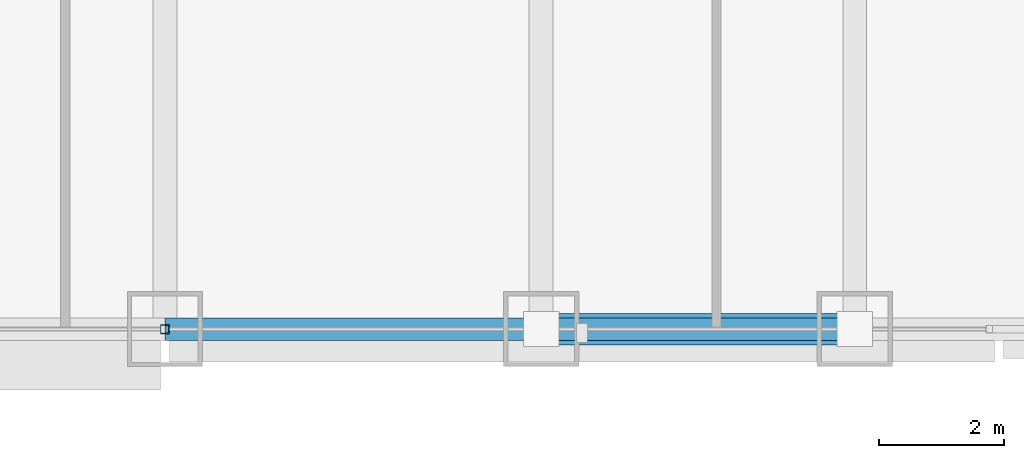
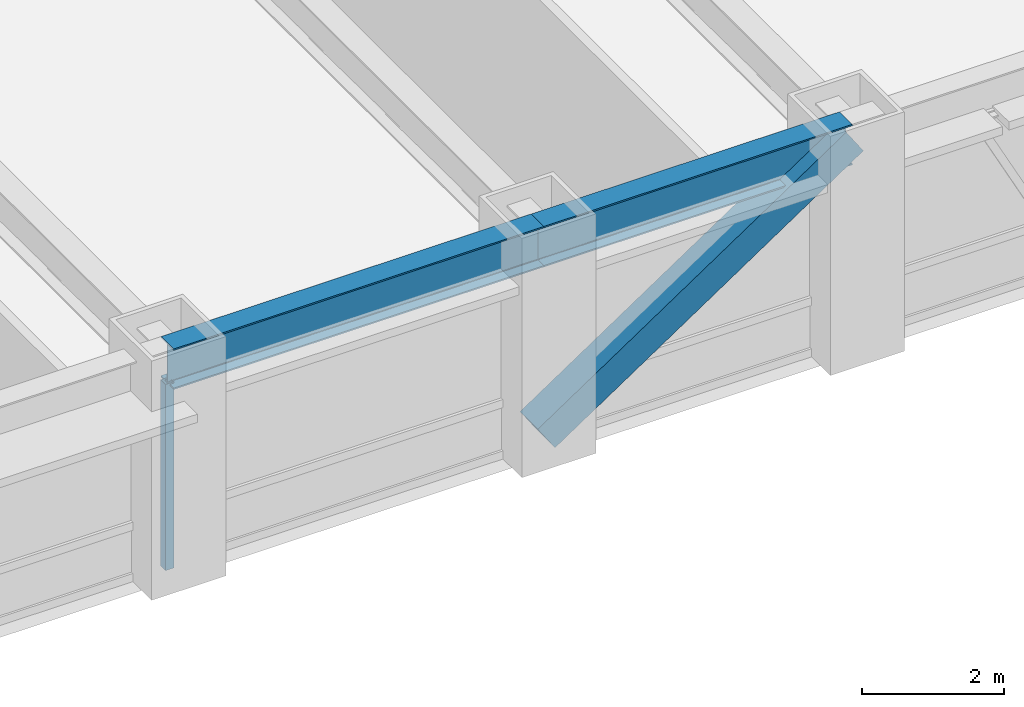
# One storey, part 4 of 32: 2 beams, 2 members, 1 element without a shape of its own.
"""IFC4 building model written with IfcOpenShell, lengths in metres."""

from ifc_helpers import new_model, si_unit, direction, frame, origin, origin_2d, place, context, subcontext, project, spatial, hollow_rectangle, i_section, extrude, source, transform, mapped, material, material_profile, profile_set, type_object, element, aggregate, save


model = new_model("IFC4")

# Units and contexts
model_context = context("Model", 3, precision=1e-05, world=origin(), true_north=direction((0.0, 1.0)))
body_context = subcontext(model_context, "Body", "Model", "MODEL_VIEW")
ifc_project = project(units=[si_unit("LENGTHUNIT", "METRE"), si_unit("AREAUNIT", "SQUARE_METRE"), si_unit("VOLUMEUNIT", "CUBIC_METRE"), si_unit("PLANEANGLEUNIT", "RADIAN"), si_unit("MASSUNIT", "GRAM", prefix="KILO")], contexts=[model_context])

# Site, building, storey
site_placement = place(None, origin())
site = spatial("IfcSite", under=ifc_project, at=site_placement, CompositionType="ELEMENT")
building_placement = place(site_placement, origin())
building = spatial("IfcBuilding", under=site, at=building_placement, Name="Khorayat Bourse Tower", CompositionType="ELEMENT")
storey_placement = place(building_placement, frame((0.0, 0.0, 132.39990234375)))
storey = spatial("IfcBuildingStorey", under=building, at=storey_placement, Name="L30", CompositionType="ELEMENT", Elevation=132.39990234375)

# Beams
ifc_material_1 = material(Name="Steel ASTM A992 Grade 50", Category="steel")
ifc_material_profile_1 = material_profile(ifc_material_1, i_section(OverallWidth=0.35498046875, OverallDepth=0.695068359375, WebThickness=0.015380859375, FlangeThickness=0.02490234375, FilletRadius=0.01806640625, at=origin_2d()), Name="W690X217")
ifc_profile_set_1 = profile_set([ifc_material_profile_1], Name="Steel ASTM A992 Grade 50")
beam_type = type_object("IfcBeamType", Name="BM-SPAN-690", PredefinedType="SPANDREL", material=ifc_profile_set_1)
shared_shape_1 = source(origin(), body_context, "Body", "SweptSolid", [
    extrude(i_section(OverallWidth=0.35498046875, OverallDepth=0.695068359375, WebThickness=0.015380859375, FlangeThickness=0.02490234375, FilletRadius=0.01806640625, at=origin_2d()), origin(), (0.0, 0.0, 1.0), 5.0),
])
beam_1_placement = place(storey_placement, frame((6.0, -32.0, 3.49267578125), z_axis=(1.0, 0.0, 0.0), x_axis=(0.0, 1.0, 0.0)))
element("IfcBeam", 1, at=beam_1_placement, inside=storey, type_object=beam_type, Name="L30 BM-SPAN-690 BM-L30-SPN-029", PredefinedType="SPANDREL", context=body_context, shape_type="MappedRepresentation", body=[
    mapped(shared_shape_1, transform((0.0, 0.0, 0.0), scale=1.0)),
])
shared_shape_2 = source(origin(), body_context, "Body", "SweptSolid", [
    extrude(i_section(OverallWidth=0.35498046875, OverallDepth=0.695068359375, WebThickness=0.015380859375, FlangeThickness=0.02490234375, FilletRadius=0.01806640625, at=origin_2d()), origin(), (0.0, 0.0, 1.0), 6.0),
])
beam_2_placement = place(storey_placement, frame((0.0, -32.0, 3.49267578125), z_axis=(1.0, 0.0, 0.0), x_axis=(0.0, 1.0, 0.0)))
element("IfcBeam", 2, at=beam_2_placement, inside=storey, type_object=beam_type, Name="L30 BM-SPAN-690 BM-L30-SPN-028", PredefinedType="SPANDREL", context=body_context, shape_type="MappedRepresentation", body=[
    mapped(shared_shape_2, transform((0.0, 0.0, 0.0), scale=1.0)),
])

# Member
ifc_material_2 = material(Name="Steel EN 10025-4 S460M", Category="steel")
ifc_material_profile_2 = material_profile(ifc_material_2, hollow_rectangle(XDim=0.5, YDim=0.5, WallThickness=0.028076171875, at=origin_2d()), Name="HSS 500x500x28")
ifc_profile_set_2 = profile_set([ifc_material_profile_2], Name="Steel EN 10025-4 S460M")
member_type_1 = type_object("IfcMemberType", Name="MBR-TUBE-500", PredefinedType="BRACE", material=ifc_profile_set_2)
shared_shape_3 = source(origin(), body_context, "Body", "SweptSolid", [
    extrude(hollow_rectangle(XDim=0.5, YDim=0.5, WallThickness=0.028076171875, at=origin_2d()), origin(), (0.0, 0.0, 1.0), 6.012939453125),
])
member_1_placement = place(storey_placement, frame((6.0, -32.0, 0.25), z_axis=(0.831531473026, 0.0, 0.555477640745), x_axis=(0.0, 1.0, 0.0)))
element("IfcMember", 3, at=member_1_placement, inside=storey, type_object=member_type_1, Name="L30 Perimeter Tube Brace 02", PredefinedType="BRACE", context=body_context, shape_type="MappedRepresentation", body=[
    mapped(shared_shape_3, transform((0.0, 0.0, 0.0), scale=1.0)),
])

# Curtain wall, member
ifc_material_3 = material(Name="Aluminium EN AW-6063 T6", Category="aluminium")
curtain_wall_type = type_object("IfcCurtainWallType", Name="CW-SYS-02", PredefinedType="NOTDEFINED", material=ifc_material_3)
curtain_wall_placement = place(storey_placement, origin())
curtain_wall = element("IfcCurtainWall", 4, at=curtain_wall_placement, inside=storey, type_object=curtain_wall_type, Name="L30 Curtain Wall CW-L30-S1", PredefinedType="NOTDEFINED")
ifc_material_profile_3 = material_profile(ifc_material_3, hollow_rectangle(XDim=0.139892578125, YDim=0.139892578125, WallThickness=0.006103515625, at=origin_2d()), Name="ALU 140x140x6")
ifc_profile_set_3 = profile_set([ifc_material_profile_3], Name="Aluminium EN AW-6063 T6")
member_type_2 = type_object("IfcMemberType", Name="CWM-VERT-140", PredefinedType="MULLION", material=ifc_profile_set_3)
shared_shape_4 = source(origin(), body_context, "Body", "SweptSolid", [
    extrude(hollow_rectangle(XDim=0.139892578125, YDim=0.139892578125, WallThickness=0.006103515625, at=origin_2d()), origin(), (0.0, 0.0, 1.0), 3.190185546875),
])
member_2_placement = place(storey_placement, frame((0.0, -32.0, 0.0), z_axis=(0.0, 0.0, 1.0), x_axis=(0.0, 1.0, 0.0)))
member_2 = element("IfcMember", 5, at=member_2_placement, type_object=member_type_2, Name="CW-L30-S1 Vertical Mullion 2", PredefinedType="MULLION", context=body_context, shape_type="MappedRepresentation", body=[
    mapped(shared_shape_4, transform((0.0, 0.0, 0.0), scale=1.0)),
])
aggregate(curtain_wall, [member_2])

save(model, "model.ifc")
